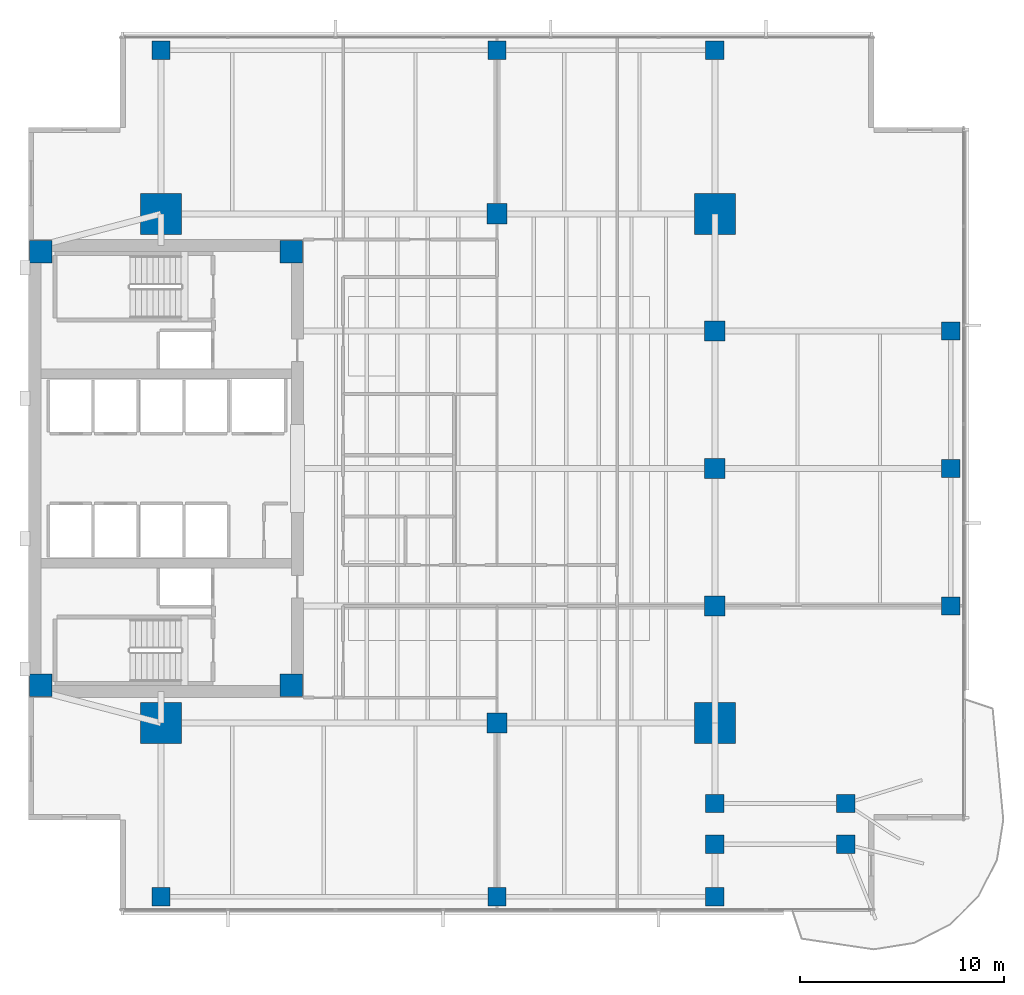
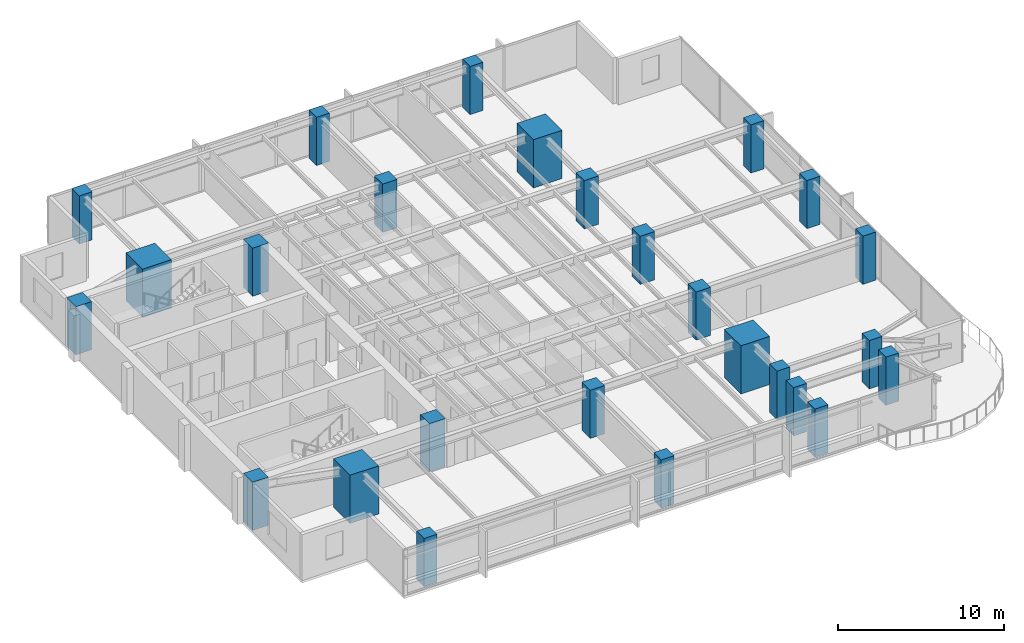
# One storey, part 1 of 14: 26 columns.
"""IFC4 building model written with IfcOpenShell, lengths in metres."""

from ifc_helpers import new_model, si_unit, direction, frame, origin, origin_2d, place, context, subcontext, project, spatial, rectangle, extrude, material, material_profile, profile_set, type_object, element, save


model = new_model("IFC4")

# Units and contexts
model_context = context("Model", 3, precision=1e-05, world=origin(), true_north=direction((0.0, 1.0)))
body_context = subcontext(model_context, "Body", "Model", "MODEL_VIEW")
ifc_project = project(units=[si_unit("LENGTHUNIT", "METRE"), si_unit("AREAUNIT", "SQUARE_METRE"), si_unit("VOLUMEUNIT", "CUBIC_METRE"), si_unit("PLANEANGLEUNIT", "RADIAN"), si_unit("MASSUNIT", "GRAM", prefix="KILO")], contexts=[model_context])

# Site, building, storey
site_placement = place(None, origin())
site = spatial("IfcSite", under=ifc_project, at=site_placement, CompositionType="ELEMENT")
building_placement = place(site_placement, origin())
building = spatial("IfcBuilding", under=site, at=building_placement, Name="Kinhvarn Gate Tower", CompositionType="ELEMENT")
storey_placement = place(building_placement, frame((0.0, 0.0, 144.85009765625)))
storey = spatial("IfcBuildingStorey", under=building, at=storey_placement, Name="L38", CompositionType="ELEMENT", Elevation=144.85009765625)

# Columns
ifc_material = material(Name="Concrete C60/75", Category="concrete")
ifc_material_profile_1 = material_profile(ifc_material, rectangle(XDim=2.0, YDim=2.0, at=origin_2d()), Name="RC 2000x2000")
ifc_profile_set_1 = profile_set([ifc_material_profile_1], Name="Concrete C60/75")
column_type_1 = type_object("IfcColumnType", Name="COL-MC-2000", PredefinedType="COLUMN", material=ifc_profile_set_1)
for number, where, z_axis, x_axis, name in (
    (1, (11.0, 12.75, 0.0), (0.0, 0.0, 1.0), (1.0, 0.0, 0.0), "Column MC1-L38 (MC-20)"),
    (2, (11.0, 37.75, 0.0), (0.0, 0.0, 1.0), (1.0, 0.0, 0.0), "Column MC4-L38 (MC-20)"),
    (3, (38.199951171875, 12.75, 0.0), (0.0, 0.0, 1.0), (1.0, 0.0, 0.0), "Column MC2-L38 (MC-20)"),
    (4, (38.199951171875, 37.75, 0.0), (0.0, 0.0, 1.0), (1.0, 0.0, 0.0), "Column MC3-L38 (MC-20)"),
):
    element("IfcColumn", number, at=place(storey_placement, frame(where, z_axis=z_axis, x_axis=x_axis)), inside=storey, type_object=column_type_1, Name=name, PredefinedType="COLUMN", context=body_context, shape_type="SweptSolid", body=[
        extrude(rectangle(XDim=2.0, YDim=2.0, at=origin_2d()), origin(), (0.0, 0.0, 1.0), 3.5498046875),
    ])
ifc_material_profile_2 = material_profile(ifc_material, rectangle(XDim=1.0, YDim=1.0, at=origin_2d()), Name="RC 1000x1000")
ifc_profile_set_2 = profile_set([ifc_material_profile_2], Name="Concrete C60/75")
column_type_2 = type_object("IfcColumnType", Name="COL-RC-1000", PredefinedType="COLUMN", material=ifc_profile_set_2)
for number, where, z_axis, x_axis, name in (
    (5, (27.5, 12.75, 0.0), (0.0, 0.0, 1.0), (1.0, 0.0, 0.0), "Column SP27-S-L38 (C-100)"),
    (6, (27.5, 37.75, 0.0), (0.0, 0.0, 1.0), (1.0, 0.0, 0.0), "Column SP27-N-L38 (C-100)"),
    (7, (38.199951171875, 18.5, 0.0), (0.0, 0.0, 1.0), (1.0, 0.0, 0.0), "Column SP38-E1-L38 (C-100)"),
    (8, (38.199951171875, 25.25, 0.0), (0.0, 0.0, 1.0), (1.0, 0.0, 0.0), "Column SP38-E2-L38 (C-100)"),
    (9, (38.199951171875, 32.0, 0.0), (0.0, 0.0, 1.0), (1.0, 0.0, 0.0), "Column SP38-E3-L38 (C-100)"),
):
    element("IfcColumn", number, at=place(storey_placement, frame(where, z_axis=z_axis, x_axis=x_axis)), inside=storey, type_object=column_type_2, Name=name, PredefinedType="COLUMN", context=body_context, shape_type="SweptSolid", body=[
        extrude(rectangle(XDim=1.0, YDim=1.0, at=origin_2d()), origin(), (0.0, 0.0, 1.0), 3.5498046875),
    ])
ifc_material_profile_3 = material_profile(ifc_material, rectangle(XDim=0.89990234375, YDim=0.89990234375, at=origin_2d()), Name="RC 900x900")
ifc_profile_set_3 = profile_set([ifc_material_profile_3], Name="Concrete C60/75")
column_type_3 = type_object("IfcColumnType", Name="COL-RC-900", PredefinedType="COLUMN", material=ifc_profile_set_3)
for number, where, z_axis, x_axis, name in (
    (10, (38.199951171875, 6.800048828125, 0.0), (0.0, 0.0, 1.0), (1.0, 0.0, 0.0), "Column CS-ANC68-L38 (C-090)"),
    (11, (38.199951171875, 8.800048828125, 0.0), (0.0, 0.0, 1.0), (1.0, 0.0, 0.0), "Column CS-ANC88-L38 (C-090)"),
    (12, (44.6201171875, 6.800048828125, 0.0), (0.0, 0.0, 1.0), (1.0, 0.0, 0.0), "Column CS-SE2-L38 (C-090)"),
    (13, (44.6201171875, 8.800048828125, 0.0), (0.0, 0.0, 1.0), (1.0, 0.0, 0.0), "Column CS-SE2B-L38 (C-090)"),
    (14, (49.780029296875, 18.5, 0.0), (0.0, 0.0, 1.0), (1.0, 0.0, 0.0), "Column CE-1-L38 (C-090)"),
    (15, (49.780029296875, 25.25, 0.0), (0.0, 0.0, 1.0), (1.0, 0.0, 0.0), "Column CE-2-L38 (C-090)"),
    (16, (49.780029296875, 32.0, 0.0), (0.0, 0.0, 1.0), (1.0, 0.0, 0.0), "Column CE-3-L38 (C-090)"),
    (17, (11.0, 4.219970703125, 0.0), (0.0, 0.0, 1.0), (1.0, 0.0, 0.0), "Column CS-0-L38 (C-090)"),
    (18, (27.5, 4.219970703125, 0.0), (0.0, 0.0, 1.0), (1.0, 0.0, 0.0), "Column CS-1-L38 (C-090)"),
    (19, (38.199951171875, 4.219970703125, 0.0), (0.0, 0.0, 1.0), (1.0, 0.0, 0.0), "Column CS-2-L38 (C-090)"),
    (20, (11.0, 45.780029296875, 0.0), (0.0, 0.0, 1.0), (1.0, 0.0, 0.0), "Column CN-0-L38 (C-090)"),
    (21, (27.5, 45.780029296875, 0.0), (0.0, 0.0, 1.0), (1.0, 0.0, 0.0), "Column CN-1-L38 (C-090)"),
    (22, (38.199951171875, 45.780029296875, 0.0), (0.0, 0.0, 1.0), (1.0, 0.0, 0.0), "Column CN-2-L38 (C-090)"),
):
    element("IfcColumn", number, at=place(storey_placement, frame(where, z_axis=z_axis, x_axis=x_axis)), inside=storey, type_object=column_type_3, Name=name, PredefinedType="COLUMN", context=body_context, shape_type="SweptSolid", body=[
        extrude(rectangle(XDim=0.89990234375, YDim=0.89990234375, at=origin_2d()), origin(), (0.0, 0.0, 1.0), 3.5498046875),
    ])
ifc_material_profile_4 = material_profile(ifc_material, rectangle(XDim=1.10009765625, YDim=1.10009765625, at=origin_2d()), Name="RC 1100x1100")
ifc_profile_set_4 = profile_set([ifc_material_profile_4], Name="Concrete C60/75")
column_type_4 = type_object("IfcColumnType", Name="PIL-RC-1100", PredefinedType="PILASTER", material=ifc_profile_set_4)
for number, where, z_axis, x_axis, name in (
    (23, (5.10009765625, 14.60009765625, 0.0), (0.0, 0.0, 1.0), (1.0, 0.0, 0.0), "Column CC-SW-L38 (CP-110)"),
    (24, (5.10009765625, 35.89990234375, 0.0), (0.0, 0.0, 1.0), (1.0, 0.0, 0.0), "Column CC-NW-L38 (CP-110)"),
    (25, (17.39990234375, 14.60009765625, 0.0), (0.0, 0.0, 1.0), (1.0, 0.0, 0.0), "Column CC-SE-L38 (CP-110)"),
    (26, (17.39990234375, 35.89990234375, 0.0), (0.0, 0.0, 1.0), (1.0, 0.0, 0.0), "Column CC-NE-L38 (CP-110)"),
):
    element("IfcColumn", number, at=place(storey_placement, frame(where, z_axis=z_axis, x_axis=x_axis)), inside=storey, type_object=column_type_4, Name=name, PredefinedType="PILASTER", context=body_context, shape_type="SweptSolid", body=[
        extrude(rectangle(XDim=1.10009765625, YDim=1.10009765625, at=origin_2d()), origin(), (0.0, 0.0, 1.0), 3.5498046875),
    ])

save(model, "model.ifc")
